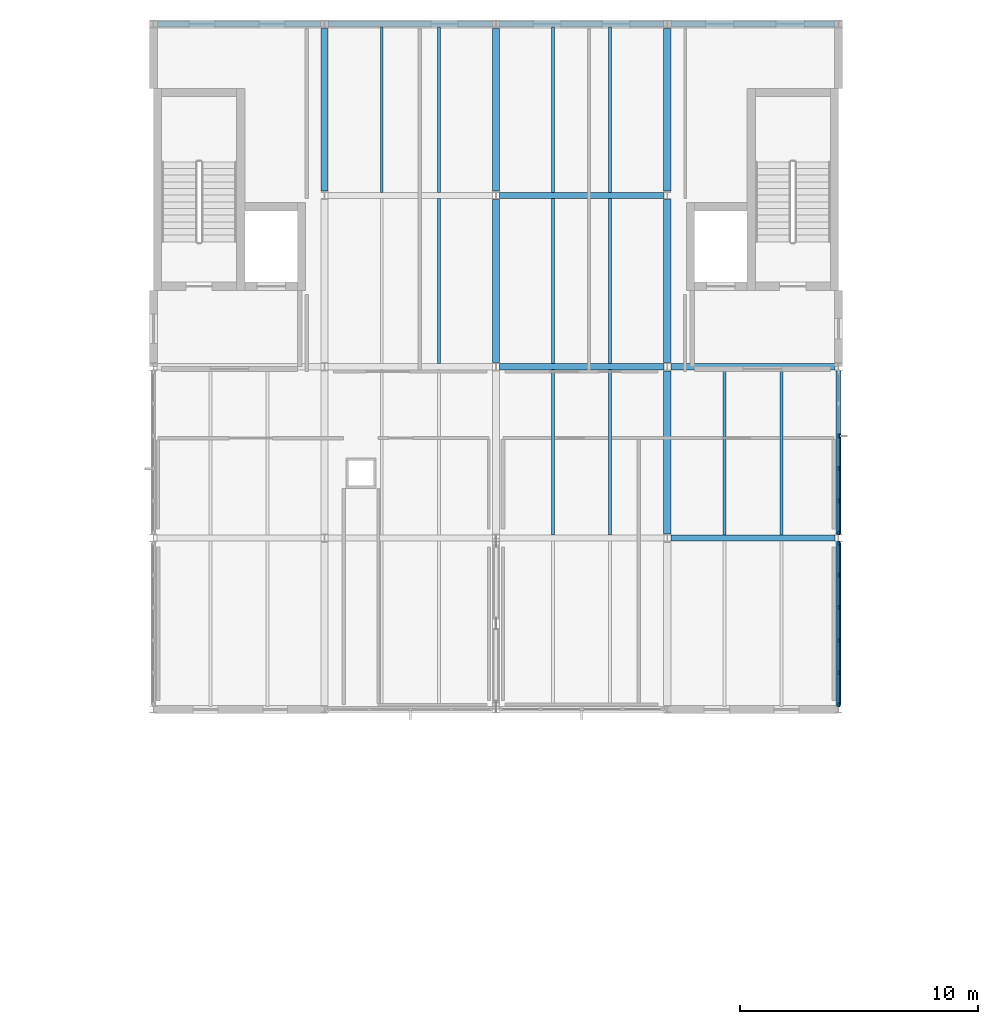
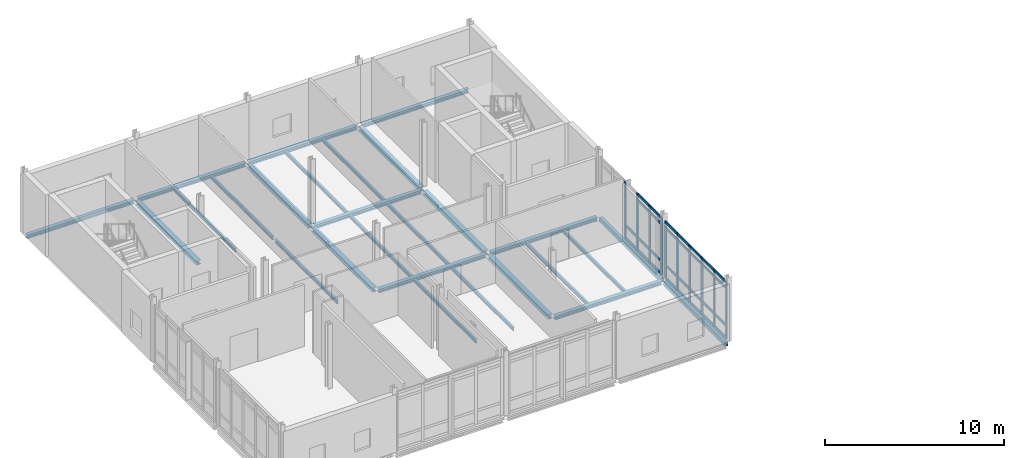
# One storey, part 19 of 43: 40 members, 27 beams, 2 elements without a shape of their own.
"""IFC4 building model written with IfcOpenShell, lengths in metres."""

from ifc_helpers import new_model, si_unit, direction, frame, origin, origin_2d, place, context, subcontext, project, spatial, rectangle, hollow_rectangle, i_section, extrude, material, layer, layer_set, material_profile, profile_set, type_object, element, aggregate, save


model = new_model("IFC4")

# Units and contexts
model_context = context("Model", 3, precision=1e-05, world=origin(), true_north=direction((0.0, 1.0)))
body_context = subcontext(model_context, "Body", "Model", "MODEL_VIEW")
ifc_project = project(units=[si_unit("LENGTHUNIT", "METRE"), si_unit("AREAUNIT", "SQUARE_METRE"), si_unit("VOLUMEUNIT", "CUBIC_METRE"), si_unit("PLANEANGLEUNIT", "RADIAN"), si_unit("MASSUNIT", "GRAM", prefix="KILO")], contexts=[model_context])

# Site, building, storey
site_placement = place(None, origin())
site = spatial("IfcSite", under=ifc_project, at=site_placement, CompositionType="ELEMENT")
building_placement = place(site_placement, origin())
building = spatial("IfcBuilding", under=site, at=building_placement, Name="Zarrinpeak Specialist Clinic", CompositionType="ELEMENT")
storey_placement = place(building_placement, frame((0.0, 0.0, 18.39990234375)))
storey = spatial("IfcBuildingStorey", under=building, at=storey_placement, Name="L04", CompositionType="ELEMENT", Elevation=18.39990234375)

# Beams
ifc_material_1 = material(Name="Steel S355", Category="steel")
ifc_material_profile_1 = material_profile(ifc_material_1, i_section(OverallWidth=0.260009765625, OverallDepth=0.25, WebThickness=0.007568359375, FlangeThickness=0.012451171875, FilletRadius=0.02392578125, at=origin_2d()), Name="HEA 260")
ifc_profile_set_1 = profile_set([ifc_material_profile_1], Name="Steel S355")
beam_type_1 = type_object("IfcBeamType", Name="BM-HEA260", PredefinedType="BEAM", material=ifc_profile_set_1)
beam_1_placement = place(storey_placement, frame((57.748046875, 96.39990234375, -0.324951171875), z_axis=(1.0, 0.0, 0.0), x_axis=(0.0, 1.0, 0.0)))
element("IfcBeam", 1, at=beam_1_placement, inside=storey, type_object=beam_type_1, Name="L04 Primary Floor Girder BM-L04-X1870", PredefinedType="BEAM", context=body_context, shape_type="SweptSolid", body=[
    extrude(i_section(OverallWidth=0.260009765625, OverallDepth=0.25, WebThickness=0.007568359375, FlangeThickness=0.012451171875, FilletRadius=0.02392578125, at=origin_2d()), origin(), (0.0, 0.0, 1.0), 6.904052734375),
])
beam_2_placement = place(storey_placement, frame((50.548095703125, 103.60009765625, -0.324951171875), z_axis=(1.0, 0.0, 0.0), x_axis=(0.0, 1.0, 0.0)))
element("IfcBeam", 2, at=beam_2_placement, inside=storey, type_object=beam_type_1, Name="L04 Primary Floor Girder BM-L04-X1873", PredefinedType="BEAM", context=body_context, shape_type="SweptSolid", body=[
    extrude(i_section(OverallWidth=0.260009765625, OverallDepth=0.25, WebThickness=0.007568359375, FlangeThickness=0.012451171875, FilletRadius=0.02392578125, at=origin_2d()), origin(), (0.0, 0.0, 1.0), 6.90380859375),
])
beam_3_placement = place(storey_placement, frame((57.748046875, 103.60009765625, -0.324951171875), z_axis=(1.0, 0.0, 0.0), x_axis=(0.0, 1.0, 0.0)))
element("IfcBeam", 3, at=beam_3_placement, inside=storey, type_object=beam_type_1, Name="L04 Primary Floor Girder BM-L04-X1874", PredefinedType="BEAM", context=body_context, shape_type="SweptSolid", body=[
    extrude(i_section(OverallWidth=0.260009765625, OverallDepth=0.25, WebThickness=0.007568359375, FlangeThickness=0.012451171875, FilletRadius=0.02392578125, at=origin_2d()), origin(), (0.0, 0.0, 1.0), 6.904052734375),
])
beam_4_placement = place(storey_placement, frame((50.548095703125, 110.800048828125, -0.324951171875), z_axis=(1.0, 0.0, 0.0), x_axis=(0.0, 1.0, 0.0)))
element("IfcBeam", 4, at=beam_4_placement, inside=storey, type_object=beam_type_1, Name="L04 Primary Floor Girder BM-L04-X1876", PredefinedType="BEAM", context=body_context, shape_type="SweptSolid", body=[
    extrude(i_section(OverallWidth=0.260009765625, OverallDepth=0.25, WebThickness=0.007568359375, FlangeThickness=0.012451171875, FilletRadius=0.02392578125, at=origin_2d()), origin(), (0.0, 0.0, 1.0), 6.90380859375),
])
for number, where, z_axis, x_axis, name in (
    (5, (36.14794921875, 118.0, -0.324951171875), (1.0, 0.0, 0.0), (0.0, 1.0, 0.0), "L04 Primary Floor Girder BM-L04-X1877"),
    (6, (43.347900390625, 118.0, -0.324951171875), (1.0, 0.0, 0.0), (0.0, 1.0, 0.0), "L04 Primary Floor Girder BM-L04-X1878"),
):
    element("IfcBeam", number, at=place(storey_placement, frame(where, z_axis=z_axis, x_axis=x_axis)), inside=storey, type_object=beam_type_1, Name=name, PredefinedType="BEAM", context=body_context, shape_type="SweptSolid", body=[
        extrude(i_section(OverallWidth=0.260009765625, OverallDepth=0.25, WebThickness=0.007568359375, FlangeThickness=0.012451171875, FilletRadius=0.02392578125, at=origin_2d()), origin(), (0.0, 0.0, 1.0), 6.904052734375),
    ])
beam_5_placement = place(storey_placement, frame((50.548095703125, 118.0, -0.324951171875), z_axis=(1.0, 0.0, 0.0), x_axis=(0.0, 1.0, 0.0)))
element("IfcBeam", 7, at=beam_5_placement, inside=storey, type_object=beam_type_1, Name="L04 Primary Floor Girder BM-L04-X1879", PredefinedType="BEAM", context=body_context, shape_type="SweptSolid", body=[
    extrude(i_section(OverallWidth=0.260009765625, OverallDepth=0.25, WebThickness=0.007568359375, FlangeThickness=0.012451171875, FilletRadius=0.02392578125, at=origin_2d()), origin(), (0.0, 0.0, 1.0), 6.90380859375),
])
beam_6_placement = place(storey_placement, frame((57.748046875, 118.0, -0.324951171875), z_axis=(1.0, 0.0, 0.0), x_axis=(0.0, 1.0, 0.0)))
element("IfcBeam", 8, at=beam_6_placement, inside=storey, type_object=beam_type_1, Name="L04 Primary Floor Girder BM-L04-X1880", PredefinedType="BEAM", context=body_context, shape_type="SweptSolid", body=[
    extrude(i_section(OverallWidth=0.260009765625, OverallDepth=0.25, WebThickness=0.007568359375, FlangeThickness=0.012451171875, FilletRadius=0.02392578125, at=origin_2d()), origin(), (0.0, 0.0, 1.0), 6.904052734375),
])
ifc_material_profile_2 = material_profile(ifc_material_1, i_section(OverallWidth=0.300048828125, OverallDepth=0.2900390625, WebThickness=0.008544921875, FlangeThickness=0.013916015625, FilletRadius=0.027099609375, at=origin_2d()), Name="HEA 300")
ifc_profile_set_2 = profile_set([ifc_material_profile_2], Name="Steel S355")
beam_type_2 = type_object("IfcBeamType", Name="BM-HEA300", PredefinedType="BEAM", material=ifc_profile_set_2)
for number, where, z_axis, x_axis, name in (
    (9, (43.199951171875, 110.97802734375, -0.344970703125), (0.0, 1.0, 0.0), (-1.0, 0.0, 0.0), "L04 Primary Beam BM-L04-Y1921"),
    (10, (50.39990234375, 103.778076171875, -0.344970703125), (0.0, 1.0, 0.0), (-1.0, 0.0, 0.0), "L04 Primary Beam BM-L04-Y1927"),
    (11, (50.39990234375, 110.97802734375, -0.344970703125), (0.0, 1.0, 0.0), (-1.0, 0.0, 0.0), "L04 Primary Beam BM-L04-Y1928"),
):
    element("IfcBeam", number, at=place(storey_placement, frame(where, z_axis=z_axis, x_axis=x_axis)), inside=storey, type_object=beam_type_2, Name=name, PredefinedType="BEAM", context=body_context, shape_type="SweptSolid", body=[
        extrude(i_section(OverallWidth=0.300048828125, OverallDepth=0.2900390625, WebThickness=0.008544921875, FlangeThickness=0.013916015625, FilletRadius=0.027099609375, at=origin_2d()), origin(), (0.0, 0.0, 1.0), 6.843994140625),
    ])
beam_7_placement = place(storey_placement, frame((57.60009765625, 96.577880859375, -0.344970703125), z_axis=(0.0, 1.0, 0.0), x_axis=(-1.0, 0.0, 0.0)))
element("IfcBeam", 12, at=beam_7_placement, inside=storey, type_object=beam_type_2, Name="L04 Primary Beam BM-L04-Y1931", PredefinedType="BEAM", context=body_context, shape_type="SweptSolid", body=[
    extrude(i_section(OverallWidth=0.300048828125, OverallDepth=0.2900390625, WebThickness=0.008544921875, FlangeThickness=0.013916015625, FilletRadius=0.027099609375, at=origin_2d()), origin(), (0.0, 0.0, 1.0), 6.84423828125),
])
for number, where, z_axis, x_axis, name in (
    (13, (57.60009765625, 103.778076171875, -0.344970703125), (0.0, 1.0, 0.0), (-1.0, 0.0, 0.0), "L04 Primary Beam BM-L04-Y1932"),
    (14, (57.60009765625, 110.97802734375, -0.344970703125), (0.0, 1.0, 0.0), (-1.0, 0.0, 0.0), "L04 Primary Beam BM-L04-Y1933"),
):
    element("IfcBeam", number, at=place(storey_placement, frame(where, z_axis=z_axis, x_axis=x_axis)), inside=storey, type_object=beam_type_2, Name=name, PredefinedType="BEAM", context=body_context, shape_type="SweptSolid", body=[
        extrude(i_section(OverallWidth=0.300048828125, OverallDepth=0.2900390625, WebThickness=0.008544921875, FlangeThickness=0.013916015625, FilletRadius=0.027099609375, at=origin_2d()), origin(), (0.0, 0.0, 1.0), 6.843994140625),
    ])
ifc_material_profile_3 = material_profile(ifc_material_1, i_section(OverallWidth=0.1201171875, OverallDepth=0.239990234375, WebThickness=0.006103515625, FlangeThickness=0.009765625, FilletRadius=0.014892578125, at=origin_2d()), Name="IPE 240")
ifc_profile_set_3 = profile_set([ifc_material_profile_3], Name="Steel S355")
beam_type_3 = type_object("IfcBeamType", Name="BM-JST240", PredefinedType="JOIST", material=ifc_profile_set_3)
for number, where, z_axis, x_axis, name in (
    (15, (48.0, 103.72802734375, -0.31982421875), (0.0, 1.0, 0.0), (-1.0, 0.0, 0.0), "L04 Composite Floor Joist JST-L04-2022"),
    (16, (45.60009765625, 110.927978515625, -0.31982421875), (0.0, 1.0, 0.0), (-1.0, 0.0, 0.0), "L04 Composite Floor Joist JST-L04-2023"),
    (17, (48.0, 110.927978515625, -0.31982421875), (0.0, 1.0, 0.0), (-1.0, 0.0, 0.0), "L04 Composite Floor Joist JST-L04-2024"),
):
    element("IfcBeam", number, at=place(storey_placement, frame(where, z_axis=z_axis, x_axis=x_axis)), inside=storey, type_object=beam_type_3, Name=name, PredefinedType="JOIST", context=body_context, shape_type="SweptSolid", body=[
        extrude(i_section(OverallWidth=0.1201171875, OverallDepth=0.239990234375, WebThickness=0.006103515625, FlangeThickness=0.009765625, FilletRadius=0.014892578125, at=origin_2d()), origin(), (0.0, 0.0, 1.0), 6.944091796875),
    ])
for number, where, z_axis, x_axis, name in (
    (18, (52.800048828125, 96.528076171875, -0.31982421875), (0.0, 1.0, 0.0), (-1.0, 0.0, 0.0), "L04 Composite Floor Joist JST-L04-2027"),
    (19, (55.199951171875, 96.528076171875, -0.31982421875), (0.0, 1.0, 0.0), (-1.0, 0.0, 0.0), "L04 Composite Floor Joist JST-L04-2028"),
):
    element("IfcBeam", number, at=place(storey_placement, frame(where, z_axis=z_axis, x_axis=x_axis)), inside=storey, type_object=beam_type_3, Name=name, PredefinedType="JOIST", context=body_context, shape_type="SweptSolid", body=[
        extrude(i_section(OverallWidth=0.1201171875, OverallDepth=0.239990234375, WebThickness=0.006103515625, FlangeThickness=0.009765625, FilletRadius=0.014892578125, at=origin_2d()), origin(), (0.0, 0.0, 1.0), 6.94384765625),
    ])
for number, where, z_axis, x_axis, name in (
    (20, (52.800048828125, 103.72802734375, -0.31982421875), (0.0, 1.0, 0.0), (-1.0, 0.0, 0.0), "L04 Composite Floor Joist JST-L04-2029"),
    (21, (55.199951171875, 103.72802734375, -0.31982421875), (0.0, 1.0, 0.0), (-1.0, 0.0, 0.0), "L04 Composite Floor Joist JST-L04-2030"),
    (22, (52.800048828125, 110.927978515625, -0.31982421875), (0.0, 1.0, 0.0), (-1.0, 0.0, 0.0), "L04 Composite Floor Joist JST-L04-2031"),
    (23, (55.199951171875, 110.927978515625, -0.31982421875), (0.0, 1.0, 0.0), (-1.0, 0.0, 0.0), "L04 Composite Floor Joist JST-L04-2032"),
):
    element("IfcBeam", number, at=place(storey_placement, frame(where, z_axis=z_axis, x_axis=x_axis)), inside=storey, type_object=beam_type_3, Name=name, PredefinedType="JOIST", context=body_context, shape_type="SweptSolid", body=[
        extrude(i_section(OverallWidth=0.1201171875, OverallDepth=0.239990234375, WebThickness=0.006103515625, FlangeThickness=0.009765625, FilletRadius=0.014892578125, at=origin_2d()), origin(), (0.0, 0.0, 1.0), 6.944091796875),
    ])
for number, where, z_axis, x_axis, name in (
    (24, (60.0, 96.528076171875, -0.31982421875), (0.0, 1.0, 0.0), (-1.0, 0.0, 0.0), "L04 Composite Floor Joist JST-L04-2035"),
    (25, (62.39990234375, 96.528076171875, -0.31982421875), (0.0, 1.0, 0.0), (-1.0, 0.0, 0.0), "L04 Composite Floor Joist JST-L04-2036"),
):
    element("IfcBeam", number, at=place(storey_placement, frame(where, z_axis=z_axis, x_axis=x_axis)), inside=storey, type_object=beam_type_3, Name=name, PredefinedType="JOIST", context=body_context, shape_type="SweptSolid", body=[
        extrude(i_section(OverallWidth=0.1201171875, OverallDepth=0.239990234375, WebThickness=0.006103515625, FlangeThickness=0.009765625, FilletRadius=0.014892578125, at=origin_2d()), origin(), (0.0, 0.0, 1.0), 6.94384765625),
    ])
ifc_material_profile_4 = material_profile(ifc_material_1, hollow_rectangle(XDim=0.199951171875, YDim=0.300048828125, WallThickness=0.012451171875, at=origin_2d()), Name="RHS 300x200x12.5")
ifc_profile_set_4 = profile_set([ifc_material_profile_4], Name="Steel S355")
beam_type_4 = type_object("IfcBeamType", Name="BM-SP300", PredefinedType="SPANDREL", material=ifc_profile_set_4)
beam_8_placement = place(storey_placement, frame((64.800048828125, 89.35791015625, -0.349853515625), z_axis=(0.0, 1.0, 0.0), x_axis=(-1.0, 0.0, 0.0)))
element("IfcBeam", 26, at=beam_8_placement, inside=storey, type_object=beam_type_4, Name="L04 Perimeter Spandrel Beam BM-L04-Y1936", PredefinedType="SPANDREL", context=body_context, shape_type="SweptSolid", body=[
    extrude(hollow_rectangle(XDim=0.199951171875, YDim=0.300048828125, WallThickness=0.012451171875, at=origin_2d()), origin(), (0.0, 0.0, 1.0), 6.864013671875),
])
beam_9_placement = place(storey_placement, frame((64.800048828125, 96.577880859375, -0.349853515625), z_axis=(0.0, 1.0, 0.0), x_axis=(-1.0, 0.0, 0.0)))
element("IfcBeam", 27, at=beam_9_placement, inside=storey, type_object=beam_type_4, Name="L04 Perimeter Spandrel Beam BM-L04-Y1937", PredefinedType="SPANDREL", context=body_context, shape_type="SweptSolid", body=[
    extrude(hollow_rectangle(XDim=0.199951171875, YDim=0.300048828125, WallThickness=0.012451171875, at=origin_2d()), origin(), (0.0, 0.0, 1.0), 6.84423828125),
])

# Curtain wall, members
ifc_material_2 = material(Name="Anodised Aluminium Alloy 6063-T6", Category="aluminium")
ifc_layer = layer(ifc_material_2, 0.1650390625)
ifc_layer_set = layer_set([ifc_layer], Name="Anodised Aluminium Alloy 6063-T6")
curtain_wall_type = type_object("IfcCurtainWallType", Name="CW-CLINIC", PredefinedType="NOTDEFINED", material=ifc_layer_set)
curtain_wall_1_placement = place(storey_placement, origin())
curtain_wall_1 = element("IfcCurtainWall", 28, at=curtain_wall_1_placement, inside=storey, type_object=curtain_wall_type, Name="L04 V6 Unitised Curtain Wall CW-L04-V6-157", PredefinedType="NOTDEFINED")
ifc_material_profile_5 = material_profile(ifc_material_2, rectangle(XDim=0.074951171875, YDim=0.179931640625, at=origin_2d()), Name="ALU 75x180")
ifc_profile_set_5 = profile_set([ifc_material_profile_5], Name="Anodised Aluminium Alloy 6063-T6")
member_type_1 = type_object("IfcMemberType", Name="CWM-75", PredefinedType="MULLION", material=ifc_profile_set_5)
member_1_placement = place(storey_placement, frame((64.800048828125, 89.402587890625, 0.0), z_axis=(0.0, 0.0, 1.0), x_axis=(-1.0, 0.0, 0.0)))
member_1 = element("IfcMember", 29, at=member_1_placement, type_object=member_type_1, Name="CW-03 mullion 1", PredefinedType="MULLION", context=body_context, shape_type="SweptSolid", body=[
    extrude(rectangle(XDim=0.074951171875, YDim=0.179931640625, at=origin_2d()), origin(), (0.0, 0.0, 1.0), 3.89013671875),
])
member_2_placement = place(storey_placement, frame((64.800048828125, 90.735107421875, 0.0), z_axis=(0.0, 0.0, 1.0), x_axis=(-1.0, 0.0, 0.0)))
member_2 = element("IfcMember", 30, at=member_2_placement, type_object=member_type_1, Name="CW-03 mullion 2", PredefinedType="MULLION", context=body_context, shape_type="SweptSolid", body=[
    extrude(rectangle(XDim=0.074951171875, YDim=0.179931640625, at=origin_2d()), origin(), (0.0, 0.0, 1.0), 3.89013671875),
])
member_3_placement = place(storey_placement, frame((64.800048828125, 92.10498046875, 0.0), z_axis=(0.0, 0.0, 1.0), x_axis=(-1.0, 0.0, 0.0)))
member_3 = element("IfcMember", 31, at=member_3_placement, type_object=member_type_1, Name="CW-03 mullion 3", PredefinedType="MULLION", context=body_context, shape_type="SweptSolid", body=[
    extrude(rectangle(XDim=0.074951171875, YDim=0.179931640625, at=origin_2d()), origin(), (0.0, 0.0, 1.0), 3.89013671875),
])
member_4_placement = place(storey_placement, frame((64.800048828125, 93.47509765625, 0.0), z_axis=(0.0, 0.0, 1.0), x_axis=(-1.0, 0.0, 0.0)))
member_4 = element("IfcMember", 32, at=member_4_placement, type_object=member_type_1, Name="CW-03 mullion 4", PredefinedType="MULLION", context=body_context, shape_type="SweptSolid", body=[
    extrude(rectangle(XDim=0.074951171875, YDim=0.179931640625, at=origin_2d()), origin(), (0.0, 0.0, 1.0), 3.89013671875),
])
member_5_placement = place(storey_placement, frame((64.800048828125, 94.844970703125, 0.0), z_axis=(0.0, 0.0, 1.0), x_axis=(-1.0, 0.0, 0.0)))
member_5 = element("IfcMember", 33, at=member_5_placement, type_object=member_type_1, Name="CW-03 mullion 5", PredefinedType="MULLION", context=body_context, shape_type="SweptSolid", body=[
    extrude(rectangle(XDim=0.074951171875, YDim=0.179931640625, at=origin_2d()), origin(), (0.0, 0.0, 1.0), 3.89013671875),
])
member_6_placement = place(storey_placement, frame((64.800048828125, 96.177490234375, 0.0), z_axis=(0.0, 0.0, 1.0), x_axis=(-1.0, 0.0, 0.0)))
member_6 = element("IfcMember", 34, at=member_6_placement, type_object=member_type_1, Name="CW-03 mullion 6", PredefinedType="MULLION", context=body_context, shape_type="SweptSolid", body=[
    extrude(rectangle(XDim=0.074951171875, YDim=0.179931640625, at=origin_2d()), origin(), (0.0, 0.0, 1.0), 3.89013671875),
])

curtain_wall_2_placement = place(storey_placement, origin())
curtain_wall_2 = element("IfcCurtainWall", 35, at=curtain_wall_2_placement, inside=storey, type_object=curtain_wall_type, Name="L04 V6 Unitised Curtain Wall CW-L04-V6-158", PredefinedType="NOTDEFINED")
member_7_placement = place(storey_placement, frame((64.800048828125, 96.62255859375, 0.0), z_axis=(0.0, 0.0, 1.0), x_axis=(-1.0, 0.0, 0.0)))
member_7 = element("IfcMember", 36, at=member_7_placement, type_object=member_type_1, Name="CW-03 mullion 1", PredefinedType="MULLION", context=body_context, shape_type="SweptSolid", body=[
    extrude(rectangle(XDim=0.074951171875, YDim=0.179931640625, at=origin_2d()), origin(), (0.0, 0.0, 1.0), 3.900146484375),
])
member_8_placement = place(storey_placement, frame((64.800048828125, 97.950927734375, 0.0), z_axis=(0.0, 0.0, 1.0), x_axis=(-1.0, 0.0, 0.0)))
member_8 = element("IfcMember", 37, at=member_8_placement, type_object=member_type_1, Name="CW-03 mullion 2", PredefinedType="MULLION", context=body_context, shape_type="SweptSolid", body=[
    extrude(rectangle(XDim=0.074951171875, YDim=0.179931640625, at=origin_2d()), origin(), (0.0, 0.0, 1.0), 3.900146484375),
])
member_9_placement = place(storey_placement, frame((64.800048828125, 99.31689453125, 0.0), z_axis=(0.0, 0.0, 1.0), x_axis=(-1.0, 0.0, 0.0)))
member_9 = element("IfcMember", 38, at=member_9_placement, type_object=member_type_1, Name="CW-03 mullion 3", PredefinedType="MULLION", context=body_context, shape_type="SweptSolid", body=[
    extrude(rectangle(XDim=0.074951171875, YDim=0.179931640625, at=origin_2d()), origin(), (0.0, 0.0, 1.0), 3.900146484375),
])
member_10_placement = place(storey_placement, frame((64.800048828125, 100.68310546875, 0.0), z_axis=(0.0, 0.0, 1.0), x_axis=(-1.0, 0.0, 0.0)))
member_10 = element("IfcMember", 39, at=member_10_placement, type_object=member_type_1, Name="CW-03 mullion 4", PredefinedType="MULLION", context=body_context, shape_type="SweptSolid", body=[
    extrude(rectangle(XDim=0.074951171875, YDim=0.179931640625, at=origin_2d()), origin(), (0.0, 0.0, 1.0), 3.900146484375),
])

# Member
ifc_material_profile_6 = material_profile(ifc_material_2, rectangle(XDim=0.074951171875, YDim=0.159912109375, at=origin_2d()), Name="ALU 75x160")
ifc_profile_set_6 = profile_set([ifc_material_profile_6], Name="Anodised Aluminium Alloy 6063-T6")
member_type_2 = type_object("IfcMemberType", Name="CWT-75", PredefinedType="USERDEFINED", material=ifc_profile_set_6)
member_11_placement = place(storey_placement, frame((64.800048828125, 89.43994140625, 0.03759765625), z_axis=(0.0, 1.0, 0.0), x_axis=(-1.0, 0.0, 0.0)))
member_11 = element("IfcMember", 40, at=member_11_placement, type_object=member_type_2, Name="CW-03 transom 1.1", ObjectType="TRANSOM", PredefinedType="USERDEFINED", context=body_context, shape_type="SweptSolid", body=[
    extrude(rectangle(XDim=0.074951171875, YDim=0.159912109375, at=origin_2d()), origin(), (0.0, 0.0, 1.0), 1.257568359375),
])

member_12_placement = place(storey_placement, frame((64.800048828125, 89.43994140625, 0.900146484375), z_axis=(0.0, 1.0, 0.0), x_axis=(-1.0, 0.0, 0.0)))
member_12 = element("IfcMember", 41, at=member_12_placement, type_object=member_type_2, Name="CW-03 transom 1.2", ObjectType="TRANSOM", PredefinedType="USERDEFINED", context=body_context, shape_type="SweptSolid", body=[
    extrude(rectangle(XDim=0.074951171875, YDim=0.159912109375, at=origin_2d()), origin(), (0.0, 0.0, 1.0), 1.257568359375),
])

member_13_placement = place(storey_placement, frame((64.800048828125, 89.43994140625, 3.440185546875), z_axis=(0.0, 1.0, 0.0), x_axis=(-1.0, 0.0, 0.0)))
member_13 = element("IfcMember", 42, at=member_13_placement, type_object=member_type_2, Name="CW-03 transom 1.3", ObjectType="TRANSOM", PredefinedType="USERDEFINED", context=body_context, shape_type="SweptSolid", body=[
    extrude(rectangle(XDim=0.074951171875, YDim=0.159912109375, at=origin_2d()), origin(), (0.0, 0.0, 1.0), 1.257568359375),
])

member_14_placement = place(storey_placement, frame((64.800048828125, 89.43994140625, 3.8525390625), z_axis=(0.0, 1.0, 0.0), x_axis=(-1.0, 0.0, 0.0)))
member_14 = element("IfcMember", 43, at=member_14_placement, type_object=member_type_2, Name="CW-03 transom 1.4", ObjectType="TRANSOM", PredefinedType="USERDEFINED", context=body_context, shape_type="SweptSolid", body=[
    extrude(rectangle(XDim=0.074951171875, YDim=0.159912109375, at=origin_2d()), origin(), (0.0, 0.0, 1.0), 1.257568359375),
])

member_15_placement = place(storey_placement, frame((64.800048828125, 90.7724609375, 0.03759765625), z_axis=(0.0, 1.0, 0.0), x_axis=(-1.0, 0.0, 0.0)))
member_15 = element("IfcMember", 44, at=member_15_placement, type_object=member_type_2, Name="CW-03 transom 2.1", ObjectType="TRANSOM", PredefinedType="USERDEFINED", context=body_context, shape_type="SweptSolid", body=[
    extrude(rectangle(XDim=0.074951171875, YDim=0.159912109375, at=origin_2d()), origin(), (0.0, 0.0, 1.0), 1.294921875),
])

member_16_placement = place(storey_placement, frame((64.800048828125, 90.7724609375, 0.900146484375), z_axis=(0.0, 1.0, 0.0), x_axis=(-1.0, 0.0, 0.0)))
member_16 = element("IfcMember", 45, at=member_16_placement, type_object=member_type_2, Name="CW-03 transom 2.2", ObjectType="TRANSOM", PredefinedType="USERDEFINED", context=body_context, shape_type="SweptSolid", body=[
    extrude(rectangle(XDim=0.074951171875, YDim=0.159912109375, at=origin_2d()), origin(), (0.0, 0.0, 1.0), 1.294921875),
])

member_17_placement = place(storey_placement, frame((64.800048828125, 90.7724609375, 3.440185546875), z_axis=(0.0, 1.0, 0.0), x_axis=(-1.0, 0.0, 0.0)))
member_17 = element("IfcMember", 46, at=member_17_placement, type_object=member_type_2, Name="CW-03 transom 2.3", ObjectType="TRANSOM", PredefinedType="USERDEFINED", context=body_context, shape_type="SweptSolid", body=[
    extrude(rectangle(XDim=0.074951171875, YDim=0.159912109375, at=origin_2d()), origin(), (0.0, 0.0, 1.0), 1.294921875),
])

member_18_placement = place(storey_placement, frame((64.800048828125, 90.7724609375, 3.8525390625), z_axis=(0.0, 1.0, 0.0), x_axis=(-1.0, 0.0, 0.0)))
member_18 = element("IfcMember", 47, at=member_18_placement, type_object=member_type_2, Name="CW-03 transom 2.4", ObjectType="TRANSOM", PredefinedType="USERDEFINED", context=body_context, shape_type="SweptSolid", body=[
    extrude(rectangle(XDim=0.074951171875, YDim=0.159912109375, at=origin_2d()), origin(), (0.0, 0.0, 1.0), 1.294921875),
])

member_19_placement = place(storey_placement, frame((64.800048828125, 92.142578125, 0.03759765625), z_axis=(0.0, 1.0, 0.0), x_axis=(-1.0, 0.0, 0.0)))
member_19 = element("IfcMember", 48, at=member_19_placement, type_object=member_type_2, Name="CW-03 transom 3.1", ObjectType="TRANSOM", PredefinedType="USERDEFINED", context=body_context, shape_type="SweptSolid", body=[
    extrude(rectangle(XDim=0.074951171875, YDim=0.159912109375, at=origin_2d()), origin(), (0.0, 0.0, 1.0), 1.294921875),
])

member_20_placement = place(storey_placement, frame((64.800048828125, 92.142578125, 0.900146484375), z_axis=(0.0, 1.0, 0.0), x_axis=(-1.0, 0.0, 0.0)))
member_20 = element("IfcMember", 49, at=member_20_placement, type_object=member_type_2, Name="CW-03 transom 3.2", ObjectType="TRANSOM", PredefinedType="USERDEFINED", context=body_context, shape_type="SweptSolid", body=[
    extrude(rectangle(XDim=0.074951171875, YDim=0.159912109375, at=origin_2d()), origin(), (0.0, 0.0, 1.0), 1.294921875),
])

member_21_placement = place(storey_placement, frame((64.800048828125, 92.142578125, 3.440185546875), z_axis=(0.0, 1.0, 0.0), x_axis=(-1.0, 0.0, 0.0)))
member_21 = element("IfcMember", 50, at=member_21_placement, type_object=member_type_2, Name="CW-03 transom 3.3", ObjectType="TRANSOM", PredefinedType="USERDEFINED", context=body_context, shape_type="SweptSolid", body=[
    extrude(rectangle(XDim=0.074951171875, YDim=0.159912109375, at=origin_2d()), origin(), (0.0, 0.0, 1.0), 1.294921875),
])

member_22_placement = place(storey_placement, frame((64.800048828125, 92.142578125, 3.8525390625), z_axis=(0.0, 1.0, 0.0), x_axis=(-1.0, 0.0, 0.0)))
member_22 = element("IfcMember", 51, at=member_22_placement, type_object=member_type_2, Name="CW-03 transom 3.4", ObjectType="TRANSOM", PredefinedType="USERDEFINED", context=body_context, shape_type="SweptSolid", body=[
    extrude(rectangle(XDim=0.074951171875, YDim=0.159912109375, at=origin_2d()), origin(), (0.0, 0.0, 1.0), 1.294921875),
])

member_23_placement = place(storey_placement, frame((64.800048828125, 93.512451171875, 0.03759765625), z_axis=(0.0, 1.0, 0.0), x_axis=(-1.0, 0.0, 0.0)))
member_23 = element("IfcMember", 52, at=member_23_placement, type_object=member_type_2, Name="CW-03 transom 4.1", ObjectType="TRANSOM", PredefinedType="USERDEFINED", context=body_context, shape_type="SweptSolid", body=[
    extrude(rectangle(XDim=0.074951171875, YDim=0.159912109375, at=origin_2d()), origin(), (0.0, 0.0, 1.0), 1.295166015625),
])

member_24_placement = place(storey_placement, frame((64.800048828125, 93.512451171875, 0.900146484375), z_axis=(0.0, 1.0, 0.0), x_axis=(-1.0, 0.0, 0.0)))
member_24 = element("IfcMember", 53, at=member_24_placement, type_object=member_type_2, Name="CW-03 transom 4.2", ObjectType="TRANSOM", PredefinedType="USERDEFINED", context=body_context, shape_type="SweptSolid", body=[
    extrude(rectangle(XDim=0.074951171875, YDim=0.159912109375, at=origin_2d()), origin(), (0.0, 0.0, 1.0), 1.295166015625),
])

member_25_placement = place(storey_placement, frame((64.800048828125, 93.512451171875, 3.440185546875), z_axis=(0.0, 1.0, 0.0), x_axis=(-1.0, 0.0, 0.0)))
member_25 = element("IfcMember", 54, at=member_25_placement, type_object=member_type_2, Name="CW-03 transom 4.3", ObjectType="TRANSOM", PredefinedType="USERDEFINED", context=body_context, shape_type="SweptSolid", body=[
    extrude(rectangle(XDim=0.074951171875, YDim=0.159912109375, at=origin_2d()), origin(), (0.0, 0.0, 1.0), 1.295166015625),
])

member_26_placement = place(storey_placement, frame((64.800048828125, 93.512451171875, 3.8525390625), z_axis=(0.0, 1.0, 0.0), x_axis=(-1.0, 0.0, 0.0)))
member_26 = element("IfcMember", 55, at=member_26_placement, type_object=member_type_2, Name="CW-03 transom 4.4", ObjectType="TRANSOM", PredefinedType="USERDEFINED", context=body_context, shape_type="SweptSolid", body=[
    extrude(rectangle(XDim=0.074951171875, YDim=0.159912109375, at=origin_2d()), origin(), (0.0, 0.0, 1.0), 1.295166015625),
])

member_27_placement = place(storey_placement, frame((64.800048828125, 94.882568359375, 0.03759765625), z_axis=(0.0, 1.0, 0.0), x_axis=(-1.0, 0.0, 0.0)))
member_27 = element("IfcMember", 56, at=member_27_placement, type_object=member_type_2, Name="CW-03 transom 5.1", ObjectType="TRANSOM", PredefinedType="USERDEFINED", context=body_context, shape_type="SweptSolid", body=[
    extrude(rectangle(XDim=0.074951171875, YDim=0.159912109375, at=origin_2d()), origin(), (0.0, 0.0, 1.0), 1.25732421875),
])

member_28_placement = place(storey_placement, frame((64.800048828125, 94.882568359375, 0.900146484375), z_axis=(0.0, 1.0, 0.0), x_axis=(-1.0, 0.0, 0.0)))
member_28 = element("IfcMember", 57, at=member_28_placement, type_object=member_type_2, Name="CW-03 transom 5.2", ObjectType="TRANSOM", PredefinedType="USERDEFINED", context=body_context, shape_type="SweptSolid", body=[
    extrude(rectangle(XDim=0.074951171875, YDim=0.159912109375, at=origin_2d()), origin(), (0.0, 0.0, 1.0), 1.25732421875),
])

member_29_placement = place(storey_placement, frame((64.800048828125, 94.882568359375, 3.440185546875), z_axis=(0.0, 1.0, 0.0), x_axis=(-1.0, 0.0, 0.0)))
member_29 = element("IfcMember", 58, at=member_29_placement, type_object=member_type_2, Name="CW-03 transom 5.3", ObjectType="TRANSOM", PredefinedType="USERDEFINED", context=body_context, shape_type="SweptSolid", body=[
    extrude(rectangle(XDim=0.074951171875, YDim=0.159912109375, at=origin_2d()), origin(), (0.0, 0.0, 1.0), 1.25732421875),
])

member_30_placement = place(storey_placement, frame((64.800048828125, 94.882568359375, 3.8525390625), z_axis=(0.0, 1.0, 0.0), x_axis=(-1.0, 0.0, 0.0)))
member_30 = element("IfcMember", 59, at=member_30_placement, type_object=member_type_2, Name="CW-03 transom 5.4", ObjectType="TRANSOM", PredefinedType="USERDEFINED", context=body_context, shape_type="SweptSolid", body=[
    extrude(rectangle(XDim=0.074951171875, YDim=0.159912109375, at=origin_2d()), origin(), (0.0, 0.0, 1.0), 1.25732421875),
])

aggregate(curtain_wall_1, [member_1, member_2, member_3, member_4, member_5, member_6, member_11, member_12, member_13, member_14, member_15, member_16, member_17, member_18, member_19, member_20, member_21, member_22, member_23, member_24, member_25, member_26, member_27, member_28, member_29, member_30])

member_31_placement = place(storey_placement, frame((64.800048828125, 96.659912109375, 0.03759765625), z_axis=(0.0, 1.0, 0.0), x_axis=(-1.0, 0.0, 0.0)))
member_31 = element("IfcMember", 60, at=member_31_placement, type_object=member_type_2, Name="CW-03 transom 1.1", ObjectType="TRANSOM", PredefinedType="USERDEFINED", context=body_context, shape_type="SweptSolid", body=[
    extrude(rectangle(XDim=0.074951171875, YDim=0.159912109375, at=origin_2d()), origin(), (0.0, 0.0, 1.0), 1.253662109375),
])

member_32_placement = place(storey_placement, frame((64.800048828125, 96.659912109375, 0.900146484375), z_axis=(0.0, 1.0, 0.0), x_axis=(-1.0, 0.0, 0.0)))
member_32 = element("IfcMember", 61, at=member_32_placement, type_object=member_type_2, Name="CW-03 transom 1.2", ObjectType="TRANSOM", PredefinedType="USERDEFINED", context=body_context, shape_type="SweptSolid", body=[
    extrude(rectangle(XDim=0.074951171875, YDim=0.159912109375, at=origin_2d()), origin(), (0.0, 0.0, 1.0), 1.253662109375),
])

member_33_placement = place(storey_placement, frame((64.800048828125, 96.659912109375, 3.4501953125), z_axis=(0.0, 1.0, 0.0), x_axis=(-1.0, 0.0, 0.0)))
member_33 = element("IfcMember", 62, at=member_33_placement, type_object=member_type_2, Name="CW-03 transom 1.3", ObjectType="TRANSOM", PredefinedType="USERDEFINED", context=body_context, shape_type="SweptSolid", body=[
    extrude(rectangle(XDim=0.074951171875, YDim=0.159912109375, at=origin_2d()), origin(), (0.0, 0.0, 1.0), 1.253662109375),
])

member_34_placement = place(storey_placement, frame((64.800048828125, 96.659912109375, 3.862548828125), z_axis=(0.0, 1.0, 0.0), x_axis=(-1.0, 0.0, 0.0)))
member_34 = element("IfcMember", 63, at=member_34_placement, type_object=member_type_2, Name="CW-03 transom 1.4", ObjectType="TRANSOM", PredefinedType="USERDEFINED", context=body_context, shape_type="SweptSolid", body=[
    extrude(rectangle(XDim=0.074951171875, YDim=0.159912109375, at=origin_2d()), origin(), (0.0, 0.0, 1.0), 1.253662109375),
])

member_35_placement = place(storey_placement, frame((64.800048828125, 97.988525390625, 0.03759765625), z_axis=(0.0, 1.0, 0.0), x_axis=(-1.0, 0.0, 0.0)))
member_35 = element("IfcMember", 64, at=member_35_placement, type_object=member_type_2, Name="CW-03 transom 2.1", ObjectType="TRANSOM", PredefinedType="USERDEFINED", context=body_context, shape_type="SweptSolid", body=[
    extrude(rectangle(XDim=0.074951171875, YDim=0.159912109375, at=origin_2d()), origin(), (0.0, 0.0, 1.0), 1.291015625),
])

member_36_placement = place(storey_placement, frame((64.800048828125, 97.988525390625, 0.900146484375), z_axis=(0.0, 1.0, 0.0), x_axis=(-1.0, 0.0, 0.0)))
member_36 = element("IfcMember", 65, at=member_36_placement, type_object=member_type_2, Name="CW-03 transom 2.2", ObjectType="TRANSOM", PredefinedType="USERDEFINED", context=body_context, shape_type="SweptSolid", body=[
    extrude(rectangle(XDim=0.074951171875, YDim=0.159912109375, at=origin_2d()), origin(), (0.0, 0.0, 1.0), 1.291015625),
])

member_37_placement = place(storey_placement, frame((64.800048828125, 97.988525390625, 3.4501953125), z_axis=(0.0, 1.0, 0.0), x_axis=(-1.0, 0.0, 0.0)))
member_37 = element("IfcMember", 66, at=member_37_placement, type_object=member_type_2, Name="CW-03 transom 2.3", ObjectType="TRANSOM", PredefinedType="USERDEFINED", context=body_context, shape_type="SweptSolid", body=[
    extrude(rectangle(XDim=0.074951171875, YDim=0.159912109375, at=origin_2d()), origin(), (0.0, 0.0, 1.0), 1.291015625),
])

member_38_placement = place(storey_placement, frame((64.800048828125, 97.988525390625, 3.862548828125), z_axis=(0.0, 1.0, 0.0), x_axis=(-1.0, 0.0, 0.0)))
member_38 = element("IfcMember", 67, at=member_38_placement, type_object=member_type_2, Name="CW-03 transom 2.4", ObjectType="TRANSOM", PredefinedType="USERDEFINED", context=body_context, shape_type="SweptSolid", body=[
    extrude(rectangle(XDim=0.074951171875, YDim=0.159912109375, at=origin_2d()), origin(), (0.0, 0.0, 1.0), 1.291015625),
])

member_39_placement = place(storey_placement, frame((64.800048828125, 99.3544921875, 0.03759765625), z_axis=(0.0, 1.0, 0.0), x_axis=(-1.0, 0.0, 0.0)))
member_39 = element("IfcMember", 68, at=member_39_placement, type_object=member_type_2, Name="CW-03 transom 3.1", ObjectType="TRANSOM", PredefinedType="USERDEFINED", context=body_context, shape_type="SweptSolid", body=[
    extrude(rectangle(XDim=0.074951171875, YDim=0.159912109375, at=origin_2d()), origin(), (0.0, 0.0, 1.0), 1.291015625),
])

member_40_placement = place(storey_placement, frame((64.800048828125, 99.3544921875, 0.900146484375), z_axis=(0.0, 1.0, 0.0), x_axis=(-1.0, 0.0, 0.0)))
member_40 = element("IfcMember", 69, at=member_40_placement, type_object=member_type_2, Name="CW-03 transom 3.2", ObjectType="TRANSOM", PredefinedType="USERDEFINED", context=body_context, shape_type="SweptSolid", body=[
    extrude(rectangle(XDim=0.074951171875, YDim=0.159912109375, at=origin_2d()), origin(), (0.0, 0.0, 1.0), 1.291015625),
])

aggregate(curtain_wall_2, [member_7, member_8, member_9, member_10, member_31, member_32, member_33, member_34, member_35, member_36, member_37, member_38, member_39, member_40])

save(model, "model.ifc")
